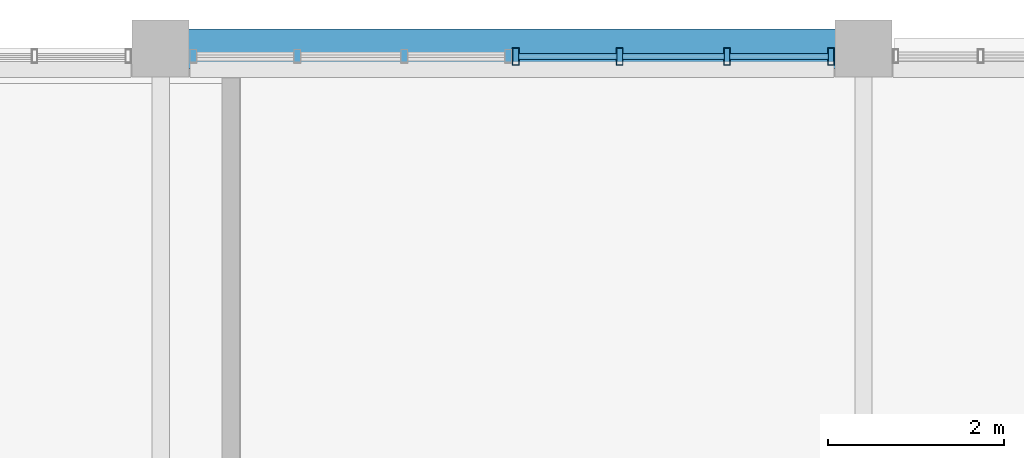
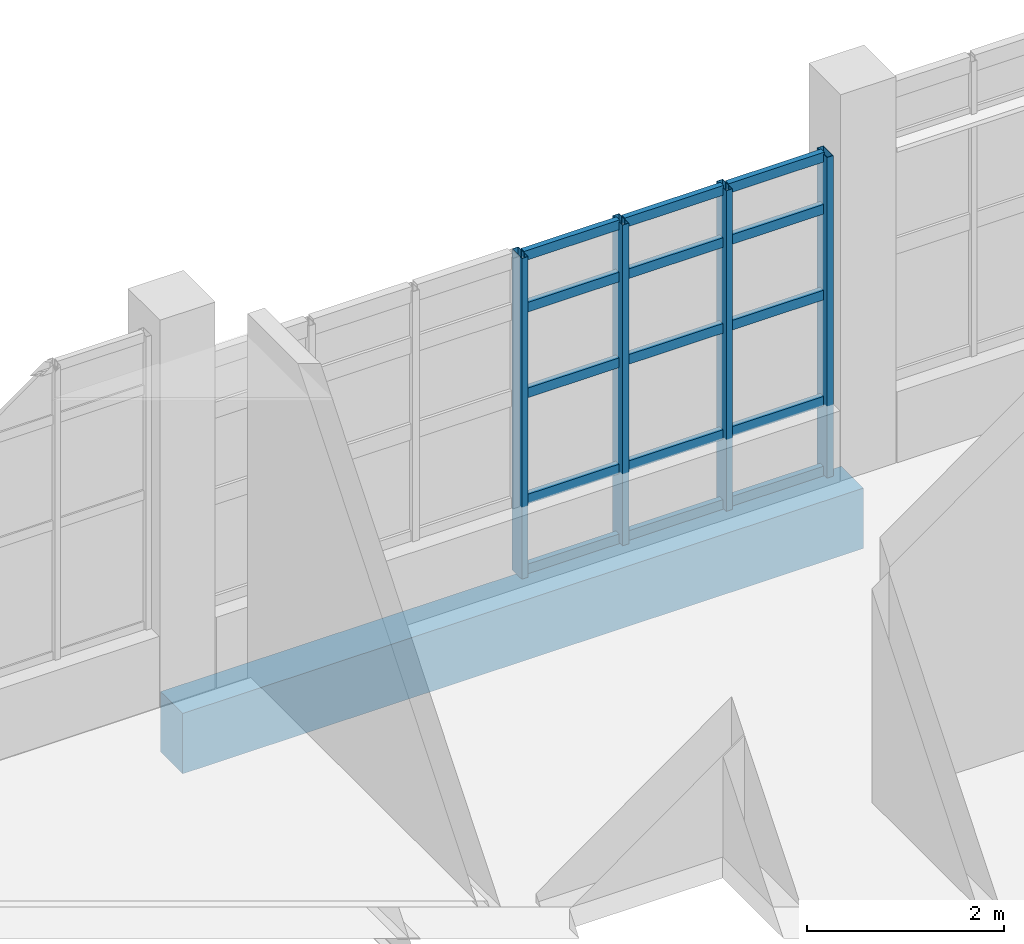
# One storey, part 45 of 100: 19 members, 1 beam, 1 element without a shape of its own.
"""IFC4 building model written with IfcOpenShell, lengths in metres."""

import ifcopenshell
import ifcopenshell.guid

model = None  # the IFC model being written
_history = None  # IfcOwnerHistory: only IFC2X3 demands one
_inside = {}  # id of a spatial element -> (the spatial element, [elements in it])
_under = {}  # id of a project, library or spatial element -> (it, [spatial elements below it])
_declared = {}  # id of a project -> (the project, [libraries it declares])
_typed = {}  # id of a type object -> (the type object, [elements of that type])
_made_of = {}  # id of a material, layer set ... -> (it, [elements and type objects made of it])


def new_model(schema):
    """Start an empty IFC model of exactly this schema.

    Asked for "IFC4X3", IfcOpenShell would pick the latest addendum, in which some entities
    have other attributes; the version numbers below select the first issue.
    IFC2X3 requires an IfcOwnerHistory on every rooted entity: one is made here for all.
    """
    global model, _history
    if schema == "IFC4X3":
        model = ifcopenshell.file(schema_version=(4, 3, 0, 0))
    else:
        model = ifcopenshell.file(schema=schema)
    _inside.clear()
    _under.clear()
    _declared.clear()
    _typed.clear()
    _made_of.clear()
    _history = None
    if model.schema == "IFC2X3":
        org = make("IfcOrganization", Name="unknown")
        user = make(
            "IfcPersonAndOrganization",
            ThePerson=make("IfcPerson", FamilyName="unknown"),
            TheOrganization=org,
        )
        app = make(
            "IfcApplication",
            ApplicationDeveloper=org,
            Version="unknown",
            ApplicationFullName="unknown",
            ApplicationIdentifier="unknown",
        )
        _history = make(
            "IfcOwnerHistory",
            OwningUser=user,
            OwningApplication=app,
            ChangeAction="ADDED",
            CreationDate=0,
        )
    return model


def make(cls, **values):
    """One entity of the class cls with the attributes given. An attribute that is None is left unset."""
    return model.create_entity(
        cls, **{name: value for name, value in values.items() if value is not None}
    )


def rooted(cls, **values):
    """An entity with a GlobalId (a new one), such as an element, a storey or a relation."""
    return make(cls, GlobalId=ifcopenshell.guid.new(), OwnerHistory=_history, **values)


def si_unit(unit_type, name, prefix=None):
    """IfcSIUnit, for example si_unit("LENGTHUNIT", "METRE", prefix="MILLI")."""
    return make("IfcSIUnit", UnitType=unit_type, Prefix=prefix, Name=name)


def derived_unit(unit_type, elements):
    """IfcDerivedUnit: a product of units, each with its exponent."""
    return make(
        "IfcDerivedUnit",
        Elements=[
            make("IfcDerivedUnitElement", Unit=unit, Exponent=power)
            for unit, power in elements
        ],
        UnitType=unit_type,
    )


def assignment(units):
    """IfcUnitAssignment: the units of a project."""
    return None if units is None else make("IfcUnitAssignment", Units=units)


def point(xyz):
    """IfcCartesianPoint."""
    return None if xyz is None else make("IfcCartesianPoint", Coordinates=xyz)


def direction(xyz):
    """IfcDirection."""
    return None if xyz is None else make("IfcDirection", DirectionRatios=xyz)


def frame(location, z_axis=None, x_axis=None):
    """IfcAxis2Placement3D, a coordinate frame: its origin and axes. An axis left out is left unset."""
    return make(
        "IfcAxis2Placement3D",
        Location=point(location),
        Axis=direction(z_axis),
        RefDirection=direction(x_axis),
    )


def frame_2d(location, x_axis=None):
    """IfcAxis2Placement2D, a coordinate frame in the plane: its origin and x axis."""
    return make(
        "IfcAxis2Placement2D", Location=point(location), RefDirection=direction(x_axis)
    )


def origin():
    """The frame at (0, 0, 0) with its axes left unset."""
    return frame((0.0, 0.0, 0.0))


def origin_2d():
    """The frame at (0, 0) in the plane with its x axis left unset."""
    return frame_2d((0.0, 0.0))


def place(relative_to, where):
    """IfcLocalPlacement: puts the frame where relative to a parent placement (None: the world)."""
    return make(
        "IfcLocalPlacement", PlacementRelTo=relative_to, RelativePlacement=where
    )


def context(
    kind, dimensions, precision=None, world=None, true_north=None, identifier=None
):
    """IfcGeometricRepresentationContext, for example the 3D "Model" context."""
    return make(
        "IfcGeometricRepresentationContext",
        ContextIdentifier=identifier,
        ContextType=kind,
        CoordinateSpaceDimension=dimensions,
        Precision=precision,
        WorldCoordinateSystem=world,
        TrueNorth=true_north,
    )


def subcontext(parent, identifier, kind, view, scale=None):
    """IfcGeometricRepresentationSubContext, for example "Body" below "Model"."""
    return make(
        "IfcGeometricRepresentationSubContext",
        ContextIdentifier=identifier,
        ContextType=kind,
        ParentContext=parent,
        TargetScale=scale,
        TargetView=view,
    )


def project(units=None, contexts=None):
    """IfcProject with its units and contexts."""
    return rooted(
        "IfcProject",
        Name="project",
        RepresentationContexts=contexts,
        UnitsInContext=assignment(units),
    )


def spatial(cls, under=None, at=None, **own):
    """A site, building, storey or space (cls), placed at a placement, below another one or the project."""
    s = rooted(cls, ObjectPlacement=at, **own)
    if under is not None:
        _under.setdefault(under.id(), (under, []))[1].append(s)
    return s


def profile(cls, at=None, kind="AREA", **sizes):
    """A parametric profile (cls). Its sizes go by their IFC names, for example OverallWidth=200.0."""
    return make(cls, ProfileType=kind, Position=at, **sizes)


def rectangle(**sizes):
    """IfcRectangleProfileDef."""
    return profile("IfcRectangleProfileDef", **sizes)


def hollow_rectangle(**sizes):
    """IfcRectangleHollowProfileDef."""
    return profile("IfcRectangleHollowProfileDef", **sizes)


def extrude(swept, where, along, depth):
    """IfcExtrudedAreaSolid: the profile swept, set in the frame where, extruded along a direction by depth."""
    return make(
        "IfcExtrudedAreaSolid",
        SweptArea=swept,
        Position=where,
        ExtrudedDirection=direction(along),
        Depth=depth,
    )


def shape(context_of_items, identifier, shape_type, items):
    """IfcShapeRepresentation: the items that make up one representation, for example the "Body"."""
    return make(
        "IfcShapeRepresentation",
        ContextOfItems=context_of_items,
        RepresentationIdentifier=identifier,
        RepresentationType=shape_type,
        Items=items,
    )


def material(Name=None, Category=None):
    """IfcMaterial."""
    return make("IfcMaterial", Name=Name, Category=Category)


def layer(
    of_material, thickness, ventilated=None, Name=None, Category=None, Priority=None
):
    """IfcMaterialLayer: one layer of a wall or slab, of a material (None: an air gap)."""
    return make(
        "IfcMaterialLayer",
        Material=of_material,
        LayerThickness=thickness,
        IsVentilated=ventilated,
        Name=Name,
        Category=Category,
        Priority=Priority,
    )


def layer_set(layers, Name=None):
    """IfcMaterialLayerSet."""
    return make("IfcMaterialLayerSet", MaterialLayers=layers, LayerSetName=Name)


def material_profile(
    of_material, cross_section, Name=None, Category=None, Priority=None
):
    """IfcMaterialProfile: a cross section and its material."""
    return make(
        "IfcMaterialProfile",
        Name=Name,
        Material=of_material,
        Profile=cross_section,
        Priority=Priority,
        Category=Category,
    )


def profile_set(profiles, Name=None, composite=None):
    """IfcMaterialProfileSet."""
    return make(
        "IfcMaterialProfileSet",
        Name=Name,
        MaterialProfiles=profiles,
        CompositeProfile=composite,
    )


def made_of(thing, what):
    """Note that an element or type object is made of a material, layer set ...; save() writes the relation."""
    if what is not None:
        _made_of.setdefault(what.id(), (what, []))[1].append(thing)
    return thing


def type_object(cls, material=None, **own):
    """A type object (cls), such as IfcWallType, which elements share."""
    return made_of(rooted(cls, **own), material)


def element(
    cls,
    number,
    at=None,
    inside=None,
    cuts=None,
    type_object=None,
    material=None,
    context=None,
    identifier="Body",
    shape_type=None,
    held_by="IfcProductDefinitionShape",
    body=None,
    shapes=None,
    **own,
):
    """One element of the class cls, such as IfcWall. Its Tag is "e" and its number.

    at: its placement. inside: the storey or other place that contains it. cuts: it is an
    opening in that element (IfcRelVoidsElement). A single representation is given by context,
    identifier, shape_type and body (its items); several are given by shapes. held_by: the class
    of the entity that holds the representations. save() writes the other relations.
    """
    e = rooted(cls, Tag="e%d" % number, ObjectPlacement=at, **own)
    if body is not None:
        shapes = [shape(context, identifier, shape_type, body)]
    if shapes is not None:
        e.Representation = make(held_by, Representations=shapes)
    if inside is not None:
        _inside.setdefault(inside.id(), (inside, []))[1].append(e)
    if cuts is not None:
        rooted(
            "IfcRelVoidsElement", RelatingBuildingElement=cuts, RelatedOpeningElement=e
        )
    if type_object is not None:
        _typed.setdefault(type_object.id(), (type_object, []))[1].append(e)
    return made_of(e, material)


def aggregate(whole, parts):
    """IfcRelAggregates: a whole, such as a stair, and the parts it consists of."""
    return rooted("IfcRelAggregates", RelatingObject=whole, RelatedObjects=parts)


def save(model, path):
    """Write the relations noted so far, then the file.

    IfcRelAggregates (storeys below a building ...), IfcRelContainedInSpatialStructure (elements
    in a storey), IfcRelDefinesByType, IfcRelAssociatesMaterial and IfcRelDeclares: one each for
    every whole, place, type object, material and project.
    """
    for whole, parts in _under.values():
        aggregate(whole, parts)
    for where, things in _inside.values():
        rooted(
            "IfcRelContainedInSpatialStructure",
            RelatedElements=things,
            RelatingStructure=where,
        )
    for kind, things in _typed.values():
        rooted("IfcRelDefinesByType", RelatedObjects=things, RelatingType=kind)
    for what, things in _made_of.values():
        rooted("IfcRelAssociatesMaterial", RelatedObjects=things, RelatingMaterial=what)
    for by, libraries in _declared.values():
        rooted("IfcRelDeclares", RelatingContext=by, RelatedDefinitions=libraries)
    model.write(path)


model = new_model("IFC4")

# Units and contexts
model_context = context("Model", 3, precision=1e-05, world=origin(), true_north=direction((0.0, 1.0)))
body_context = subcontext(model_context, "Body", "Model", "MODEL_VIEW")
ifc_project = project(units=[si_unit("LENGTHUNIT", "METRE"), si_unit("AREAUNIT", "SQUARE_METRE"), si_unit("VOLUMEUNIT", "CUBIC_METRE"), si_unit("PLANEANGLEUNIT", "RADIAN"), si_unit("MASSUNIT", "GRAM", prefix="KILO"), derived_unit("THERMALTRANSMITTANCEUNIT", [(si_unit("POWERUNIT", "WATT"), 1), (si_unit("LENGTHUNIT", "METRE"), -2), (si_unit("THERMODYNAMICTEMPERATUREUNIT", "KELVIN"), -1)])], contexts=[model_context])

# Site, building, storey
site_placement = place(None, origin())
site = spatial("IfcSite", under=ifc_project, at=site_placement, CompositionType="ELEMENT")
building_placement = place(site_placement, origin())
building = spatial("IfcBuilding", under=site, at=building_placement, Name="Nallur Shell Playhouse", CompositionType="ELEMENT")
storey_placement = place(building_placement, frame((0.0, 0.0, 10.199951171875)))
storey = spatial("IfcBuildingStorey", under=building, at=storey_placement, Name="L03", CompositionType="ELEMENT", Elevation=10.199951171875)

# Beam
ifc_material_1 = material(Name="Concrete M35", Category="concrete")
ifc_material_profile_1 = material_profile(ifc_material_1, rectangle(XDim=0.449951171875, YDim=0.75, at=origin_2d()), Name="RC 450x750")
ifc_profile_set_1 = profile_set([ifc_material_profile_1], Name="Concrete M35")
beam_type = type_object("IfcBeamType", Name="BM-RC-450x750", PredefinedType="BEAM", material=ifc_profile_set_1)
beam_placement = place(storey_placement, frame((40.0, 83.0, -0.635009765625), z_axis=(1.0, 0.0, 0.0), x_axis=(0.0, 1.0, 0.0)))
element("IfcBeam", 1, at=beam_placement, inside=storey, type_object=beam_type, Name="L03 girder X-K-622", PredefinedType="BEAM", context=body_context, shape_type="SweptSolid", body=[
    extrude(rectangle(XDim=0.449951171875, YDim=0.75, at=origin_2d()), origin(), (0.0, 0.0, 1.0), 8.0),
])

# Curtain wall, members
ifc_material_2 = material(Name="Anodised Aluminium Double-Glazed Facade System", Category="aluminium")
ifc_layer = layer(ifc_material_2, 0.179931640625)
ifc_layer_set = layer_set([ifc_layer], Name="Anodised Aluminium Double-Glazed Facade System")
curtain_wall_type = type_object("IfcCurtainWallType", Name="CW-UNIT-11", PredefinedType="NOTDEFINED", material=ifc_layer_set)
curtain_wall_placement = place(storey_placement, origin())
curtain_wall = element("IfcCurtainWall", 2, at=curtain_wall_placement, inside=storey, type_object=curtain_wall_type, Name="Unitised curtain wall CW-075 (L03)", PredefinedType="NOTDEFINED")
ifc_material_3 = material(Name="Aluminium Alloy 6063-T6 Mullion", Category="aluminium")
ifc_material_profile_2 = material_profile(ifc_material_3, hollow_rectangle(XDim=0.074951171875, YDim=0.199951171875, WallThickness=0.0048828125, at=origin_2d()), Name="ALU 75x200x5")
ifc_profile_set_2 = profile_set([ifc_material_profile_2], Name="Aluminium Alloy 6063-T6 Mullion")
member_type_1 = type_object("IfcMemberType", Name="MB-CW-MUL180", PredefinedType="MULLION", material=ifc_profile_set_2)
member_1_placement = place(storey_placement, frame((44.04248046875, 82.909912109375, -0.014892578125), z_axis=(0.0, 0.0, 1.0), x_axis=(1.0, 0.0, 0.0)))
member_1 = element("IfcMember", 3, at=member_1_placement, type_object=member_type_1, Name="CW-11 mullion 1", PredefinedType="MULLION", context=body_context, shape_type="SweptSolid", body=[
    extrude(hollow_rectangle(XDim=0.074951171875, YDim=0.199951171875, WallThickness=0.0048828125, at=origin_2d()), origin(), (0.0, 0.0, 1.0), 3.98388671875),
])
member_2_placement = place(storey_placement, frame((45.2255859375, 82.909912109375, -0.014892578125), z_axis=(0.0, 0.0, 1.0), x_axis=(1.0, 0.0, 0.0)))
member_2 = element("IfcMember", 4, at=member_2_placement, type_object=member_type_1, Name="CW-11 mullion 2", PredefinedType="MULLION", context=body_context, shape_type="SweptSolid", body=[
    extrude(hollow_rectangle(XDim=0.074951171875, YDim=0.199951171875, WallThickness=0.0048828125, at=origin_2d()), origin(), (0.0, 0.0, 1.0), 3.98388671875),
])
member_3_placement = place(storey_placement, frame((46.4462890625, 82.909912109375, -0.014892578125), z_axis=(0.0, 0.0, 1.0), x_axis=(1.0, 0.0, 0.0)))
member_3 = element("IfcMember", 5, at=member_3_placement, type_object=member_type_1, Name="CW-11 mullion 3", PredefinedType="MULLION", context=body_context, shape_type="SweptSolid", body=[
    extrude(hollow_rectangle(XDim=0.074951171875, YDim=0.199951171875, WallThickness=0.0048828125, at=origin_2d()), origin(), (0.0, 0.0, 1.0), 3.98388671875),
])
member_4_placement = place(storey_placement, frame((47.62939453125, 82.909912109375, -0.014892578125), z_axis=(0.0, 0.0, 1.0), x_axis=(1.0, 0.0, 0.0)))
member_4 = element("IfcMember", 6, at=member_4_placement, type_object=member_type_1, Name="CW-11 mullion 4", PredefinedType="MULLION", context=body_context, shape_type="SweptSolid", body=[
    extrude(hollow_rectangle(XDim=0.074951171875, YDim=0.199951171875, WallThickness=0.0048828125, at=origin_2d()), origin(), (0.0, 0.0, 1.0), 3.98388671875),
])
ifc_material_4 = material(Name="Aluminium Alloy 6063-T6 Transom", Category="aluminium")
ifc_material_profile_3 = material_profile(ifc_material_4, hollow_rectangle(XDim=0.06494140625, YDim=0.1201171875, WallThickness=0.00390625, at=origin_2d()), Name="ALU 65x120x4")
ifc_profile_set_3 = profile_set([ifc_material_profile_3], Name="Aluminium Alloy 6063-T6 Transom")
member_type_2 = type_object("IfcMemberType", Name="MB-CW-TRN120", PredefinedType="USERDEFINED", material=ifc_profile_set_3)
member_5_placement = place(storey_placement, frame((44.072021484375, 82.909912109375, 0.032470703125), z_axis=(1.0, 0.0, 0.0), x_axis=(0.0, 1.0, 0.0)))
member_5 = element("IfcMember", 7, at=member_5_placement, type_object=member_type_2, Name="CW-11 transom 1.1", ObjectType="TRANSOM", PredefinedType="USERDEFINED", context=body_context, shape_type="SweptSolid", body=[
    extrude(hollow_rectangle(XDim=0.06494140625, YDim=0.1201171875, WallThickness=0.00390625, at=origin_2d()), origin(), (0.0, 0.0, 1.0), 1.1240234375),
])
member_6_placement = place(storey_placement, frame((44.072021484375, 82.909912109375, 0.900146484375), z_axis=(1.0, 0.0, 0.0), x_axis=(0.0, 1.0, 0.0)))
member_6 = element("IfcMember", 8, at=member_6_placement, type_object=member_type_2, Name="CW-11 transom 1.2", ObjectType="TRANSOM", PredefinedType="USERDEFINED", context=body_context, shape_type="SweptSolid", body=[
    extrude(hollow_rectangle(XDim=0.06494140625, YDim=0.1201171875, WallThickness=0.00390625, at=origin_2d()), origin(), (0.0, 0.0, 1.0), 1.1240234375),
])
member_7_placement = place(storey_placement, frame((44.072021484375, 82.909912109375, 2.219970703125), z_axis=(1.0, 0.0, 0.0), x_axis=(0.0, 1.0, 0.0)))
member_7 = element("IfcMember", 9, at=member_7_placement, type_object=member_type_2, Name="CW-11 transom 1.3", ObjectType="TRANSOM", PredefinedType="USERDEFINED", context=body_context, shape_type="SweptSolid", body=[
    extrude(hollow_rectangle(XDim=0.06494140625, YDim=0.1201171875, WallThickness=0.00390625, at=origin_2d()), origin(), (0.0, 0.0, 1.0), 1.1240234375),
])
member_8_placement = place(storey_placement, frame((44.072021484375, 82.909912109375, 3.28515625), z_axis=(1.0, 0.0, 0.0), x_axis=(0.0, 1.0, 0.0)))
member_8 = element("IfcMember", 10, at=member_8_placement, type_object=member_type_2, Name="CW-11 transom 1.4", ObjectType="TRANSOM", PredefinedType="USERDEFINED", context=body_context, shape_type="SweptSolid", body=[
    extrude(hollow_rectangle(XDim=0.06494140625, YDim=0.1201171875, WallThickness=0.00390625, at=origin_2d()), origin(), (0.0, 0.0, 1.0), 1.1240234375),
])
member_9_placement = place(storey_placement, frame((44.072021484375, 82.909912109375, 3.9326171875), z_axis=(1.0, 0.0, 0.0), x_axis=(0.0, 1.0, 0.0)))
member_9 = element("IfcMember", 11, at=member_9_placement, type_object=member_type_2, Name="CW-11 transom 1.5", ObjectType="TRANSOM", PredefinedType="USERDEFINED", context=body_context, shape_type="SweptSolid", body=[
    extrude(hollow_rectangle(XDim=0.06494140625, YDim=0.1201171875, WallThickness=0.00390625, at=origin_2d()), origin(), (0.0, 0.0, 1.0), 1.1240234375),
])
member_10_placement = place(storey_placement, frame((45.255126953125, 82.909912109375, 0.032470703125), z_axis=(1.0, 0.0, 0.0), x_axis=(0.0, 1.0, 0.0)))
member_10 = element("IfcMember", 12, at=member_10_placement, type_object=member_type_2, Name="CW-11 transom 2.1", ObjectType="TRANSOM", PredefinedType="USERDEFINED", context=body_context, shape_type="SweptSolid", body=[
    extrude(hollow_rectangle(XDim=0.06494140625, YDim=0.1201171875, WallThickness=0.00390625, at=origin_2d()), origin(), (0.0, 0.0, 1.0), 1.16162109375),
])
member_11_placement = place(storey_placement, frame((45.255126953125, 82.909912109375, 0.900146484375), z_axis=(1.0, 0.0, 0.0), x_axis=(0.0, 1.0, 0.0)))
member_11 = element("IfcMember", 13, at=member_11_placement, type_object=member_type_2, Name="CW-11 transom 2.2", ObjectType="TRANSOM", PredefinedType="USERDEFINED", context=body_context, shape_type="SweptSolid", body=[
    extrude(hollow_rectangle(XDim=0.06494140625, YDim=0.1201171875, WallThickness=0.00390625, at=origin_2d()), origin(), (0.0, 0.0, 1.0), 1.16162109375),
])
member_12_placement = place(storey_placement, frame((45.255126953125, 82.909912109375, 2.219970703125), z_axis=(1.0, 0.0, 0.0), x_axis=(0.0, 1.0, 0.0)))
member_12 = element("IfcMember", 14, at=member_12_placement, type_object=member_type_2, Name="CW-11 transom 2.3", ObjectType="TRANSOM", PredefinedType="USERDEFINED", context=body_context, shape_type="SweptSolid", body=[
    extrude(hollow_rectangle(XDim=0.06494140625, YDim=0.1201171875, WallThickness=0.00390625, at=origin_2d()), origin(), (0.0, 0.0, 1.0), 1.16162109375),
])
member_13_placement = place(storey_placement, frame((45.255126953125, 82.909912109375, 3.28515625), z_axis=(1.0, 0.0, 0.0), x_axis=(0.0, 1.0, 0.0)))
member_13 = element("IfcMember", 15, at=member_13_placement, type_object=member_type_2, Name="CW-11 transom 2.4", ObjectType="TRANSOM", PredefinedType="USERDEFINED", context=body_context, shape_type="SweptSolid", body=[
    extrude(hollow_rectangle(XDim=0.06494140625, YDim=0.1201171875, WallThickness=0.00390625, at=origin_2d()), origin(), (0.0, 0.0, 1.0), 1.16162109375),
])
member_14_placement = place(storey_placement, frame((45.255126953125, 82.909912109375, 3.9326171875), z_axis=(1.0, 0.0, 0.0), x_axis=(0.0, 1.0, 0.0)))
member_14 = element("IfcMember", 16, at=member_14_placement, type_object=member_type_2, Name="CW-11 transom 2.5", ObjectType="TRANSOM", PredefinedType="USERDEFINED", context=body_context, shape_type="SweptSolid", body=[
    extrude(hollow_rectangle(XDim=0.06494140625, YDim=0.1201171875, WallThickness=0.00390625, at=origin_2d()), origin(), (0.0, 0.0, 1.0), 1.16162109375),
])
member_15_placement = place(storey_placement, frame((46.475830078125, 82.909912109375, 0.032470703125), z_axis=(1.0, 0.0, 0.0), x_axis=(0.0, 1.0, 0.0)))
member_15 = element("IfcMember", 17, at=member_15_placement, type_object=member_type_2, Name="CW-11 transom 3.1", ObjectType="TRANSOM", PredefinedType="USERDEFINED", context=body_context, shape_type="SweptSolid", body=[
    extrude(hollow_rectangle(XDim=0.06494140625, YDim=0.1201171875, WallThickness=0.00390625, at=origin_2d()), origin(), (0.0, 0.0, 1.0), 1.124267578125),
])
member_16_placement = place(storey_placement, frame((46.475830078125, 82.909912109375, 0.900146484375), z_axis=(1.0, 0.0, 0.0), x_axis=(0.0, 1.0, 0.0)))
member_16 = element("IfcMember", 18, at=member_16_placement, type_object=member_type_2, Name="CW-11 transom 3.2", ObjectType="TRANSOM", PredefinedType="USERDEFINED", context=body_context, shape_type="SweptSolid", body=[
    extrude(hollow_rectangle(XDim=0.06494140625, YDim=0.1201171875, WallThickness=0.00390625, at=origin_2d()), origin(), (0.0, 0.0, 1.0), 1.124267578125),
])
member_17_placement = place(storey_placement, frame((46.475830078125, 82.909912109375, 2.219970703125), z_axis=(1.0, 0.0, 0.0), x_axis=(0.0, 1.0, 0.0)))
member_17 = element("IfcMember", 19, at=member_17_placement, type_object=member_type_2, Name="CW-11 transom 3.3", ObjectType="TRANSOM", PredefinedType="USERDEFINED", context=body_context, shape_type="SweptSolid", body=[
    extrude(hollow_rectangle(XDim=0.06494140625, YDim=0.1201171875, WallThickness=0.00390625, at=origin_2d()), origin(), (0.0, 0.0, 1.0), 1.124267578125),
])
member_18_placement = place(storey_placement, frame((46.475830078125, 82.909912109375, 3.28515625), z_axis=(1.0, 0.0, 0.0), x_axis=(0.0, 1.0, 0.0)))
member_18 = element("IfcMember", 20, at=member_18_placement, type_object=member_type_2, Name="CW-11 transom 3.4", ObjectType="TRANSOM", PredefinedType="USERDEFINED", context=body_context, shape_type="SweptSolid", body=[
    extrude(hollow_rectangle(XDim=0.06494140625, YDim=0.1201171875, WallThickness=0.00390625, at=origin_2d()), origin(), (0.0, 0.0, 1.0), 1.124267578125),
])
member_19_placement = place(storey_placement, frame((46.475830078125, 82.909912109375, 3.9326171875), z_axis=(1.0, 0.0, 0.0), x_axis=(0.0, 1.0, 0.0)))
member_19 = element("IfcMember", 21, at=member_19_placement, type_object=member_type_2, Name="CW-11 transom 3.5", ObjectType="TRANSOM", PredefinedType="USERDEFINED", context=body_context, shape_type="SweptSolid", body=[
    extrude(hollow_rectangle(XDim=0.06494140625, YDim=0.1201171875, WallThickness=0.00390625, at=origin_2d()), origin(), (0.0, 0.0, 1.0), 1.124267578125),
])
aggregate(curtain_wall, [member_1, member_2, member_3, member_4, member_5, member_6, member_7, member_8, member_9, member_10, member_11, member_12, member_13, member_14, member_15, member_16, member_17, member_18, member_19])

save(model, "model.ifc")
